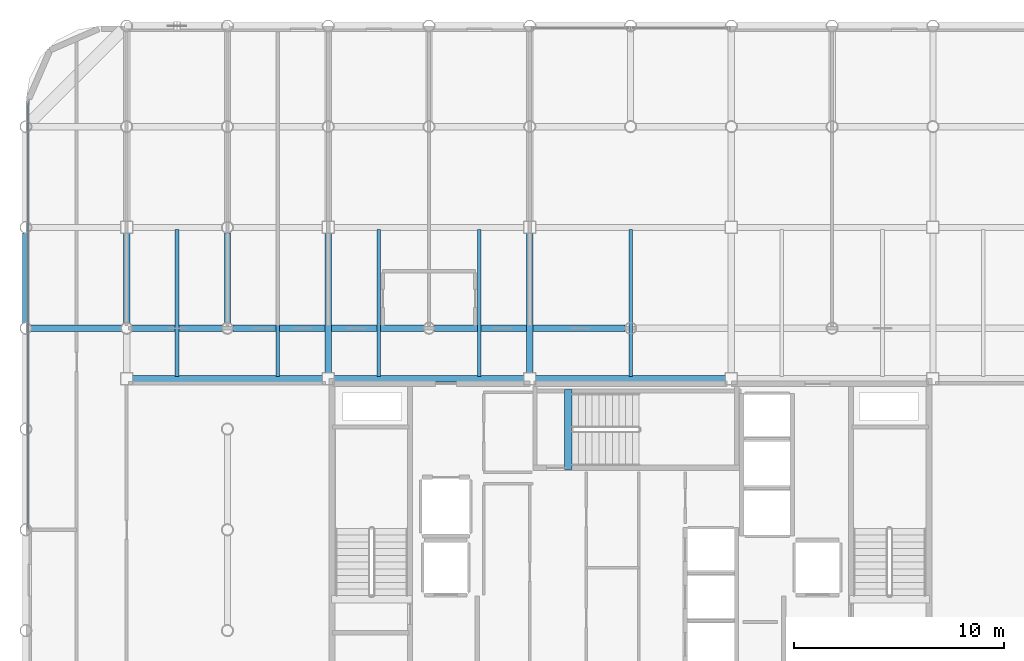
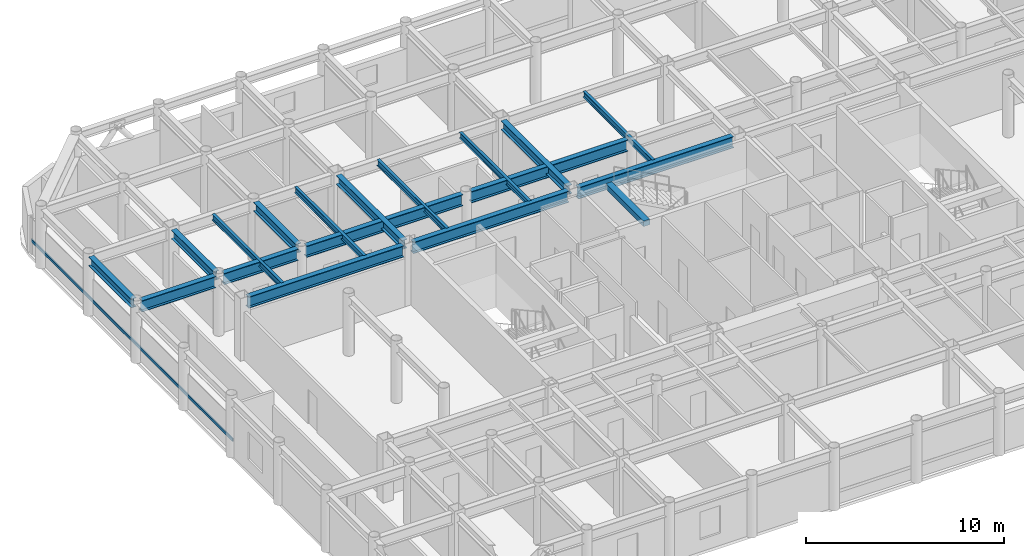
# One storey, part 7 of 22: 18 beams, 1 member, 1 element without a shape of its own.
"""IFC4 building model written with IfcOpenShell, lengths in metres."""

from ifc_helpers import new_model, si_unit, direction, frame, origin, origin_2d, place, context, subcontext, project, spatial, rectangle, hollow_rectangle, i_section, extrude, material, layer, layer_set, material_profile, profile_set, type_object, element, aggregate, save


model = new_model("IFC4")

# Units and contexts
model_context = context("Model", 3, precision=1e-05, world=origin(), true_north=direction((0.0, 1.0)))
body_context = subcontext(model_context, "Body", "Model", "MODEL_VIEW")
ifc_project = project(units=[si_unit("LENGTHUNIT", "METRE"), si_unit("AREAUNIT", "SQUARE_METRE"), si_unit("VOLUMEUNIT", "CUBIC_METRE"), si_unit("PLANEANGLEUNIT", "RADIAN"), si_unit("MASSUNIT", "GRAM", prefix="KILO")], contexts=[model_context])

# Site, building, storey
site_placement = place(None, origin())
site = spatial("IfcSite", under=ifc_project, at=site_placement, CompositionType="ELEMENT")
building_placement = place(site_placement, origin())
building = spatial("IfcBuilding", under=site, at=building_placement, Name="Kallvorn Hotel Tower", CompositionType="ELEMENT")
storey_placement = place(building_placement, frame((0.0, 0.0, 226.14990234375)))
storey = spatial("IfcBuildingStorey", under=building, at=storey_placement, Name="L56", CompositionType="ELEMENT", Elevation=226.14990234375)

# Beams
ifc_material_1 = material(Name="Structural steel S355JR", Category="steel")
ifc_material_profile_1 = material_profile(ifc_material_1, i_section(OverallWidth=0.300048828125, OverallDepth=0.550048828125, WebThickness=0.014892578125, FlangeThickness=0.029052734375, at=origin_2d()), Name="HE 550 B")
ifc_profile_set_1 = profile_set([ifc_material_profile_1], Name="Structural steel S355JR")
beam_type_1 = type_object("IfcBeamType", Name="BM_HE550B", PredefinedType="SPANDREL", material=ifc_profile_set_1)
beam_1_placement = place(storey_placement, frame((-28.800048828125, 9.8544921875, 3.39501953125), z_axis=(0.0, 1.0, 0.0), x_axis=(-1.0, 0.0, 0.0)))
element("IfcBeam", 1, at=beam_1_placement, inside=storey, type_object=beam_type_1, Name="L57 Primary Y-Girder 79", PredefinedType="SPANDREL", context=body_context, shape_type="SweptSolid", body=[
    extrude(i_section(OverallWidth=0.300048828125, OverallDepth=0.550048828125, WebThickness=0.014892578125, FlangeThickness=0.029052734375, at=origin_2d()), origin(), (0.0, 0.0, 1.0), 4.291015625),
])
beam_2_placement = place(storey_placement, frame((-24.0, 9.8544921875, 3.39501953125), z_axis=(0.0, 1.0, 0.0), x_axis=(-1.0, 0.0, 0.0)))
element("IfcBeam", 2, at=beam_2_placement, inside=storey, type_object=beam_type_1, Name="L57 Primary Y-Girder 85", PredefinedType="SPANDREL", context=body_context, shape_type="SweptSolid", body=[
    extrude(i_section(OverallWidth=0.300048828125, OverallDepth=0.550048828125, WebThickness=0.014892578125, FlangeThickness=0.029052734375, at=origin_2d()), origin(), (0.0, 0.0, 1.0), 4.2705078125),
])
beam_3_placement = place(storey_placement, frame((-19.199951171875, 9.8544921875, 3.39501953125), z_axis=(0.0, 1.0, 0.0), x_axis=(-1.0, 0.0, 0.0)))
element("IfcBeam", 3, at=beam_3_placement, inside=storey, type_object=beam_type_1, Name="L57 Primary Y-Girder 94", PredefinedType="SPANDREL", context=body_context, shape_type="SweptSolid", body=[
    extrude(i_section(OverallWidth=0.300048828125, OverallDepth=0.550048828125, WebThickness=0.014892578125, FlangeThickness=0.029052734375, at=origin_2d()), origin(), (0.0, 0.0, 1.0), 4.291015625),
])
for number, where, z_axis, x_axis, name in (
    (4, (-14.39990234375, 7.47509765625, 3.39501953125), (0.0, 1.0, 0.0), (-1.0, 0.0, 0.0), "L57 Primary Y-Girder 99"),
    (5, (-4.800048828125, 7.47509765625, 3.39501953125), (0.0, 1.0, 0.0), (-1.0, 0.0, 0.0), "L57 Primary Y-Girder 107"),
):
    element("IfcBeam", number, at=place(storey_placement, frame(where, z_axis=z_axis, x_axis=x_axis)), inside=storey, type_object=beam_type_1, Name=name, PredefinedType="SPANDREL", context=body_context, shape_type="SweptSolid", body=[
        extrude(i_section(OverallWidth=0.300048828125, OverallDepth=0.550048828125, WebThickness=0.014892578125, FlangeThickness=0.029052734375, at=origin_2d()), origin(), (0.0, 0.0, 1.0), 6.64990234375),
    ])
ifc_material_2 = material(Name="Structural steel S355JR", Category="steel")
ifc_material_profile_2 = material_profile(ifc_material_2, i_section(OverallWidth=0.300048828125, OverallDepth=0.699951171875, WebThickness=0.01708984375, FlangeThickness=0.031982421875, at=origin_2d()), Name="HE 700 B")
ifc_profile_set_2 = profile_set([ifc_material_profile_2], Name="Structural steel S355JR")
beam_type_2 = type_object("IfcBeamType", Name="BM_HE700B", PredefinedType="BEAM", material=ifc_profile_set_2)
for number, where, z_axis, x_axis, name in (
    (6, (-23.72509765625, 7.199951171875, 3.320068359375), (1.0, 0.0, 0.0), (0.0, 1.0, 0.0), "L57 Primary X-Girder 36"),
    (7, (-14.125, 7.199951171875, 3.320068359375), (1.0, 0.0, 0.0), (0.0, 1.0, 0.0), "L57 Primary X-Girder 37"),
):
    element("IfcBeam", number, at=place(storey_placement, frame(where, z_axis=z_axis, x_axis=x_axis)), inside=storey, type_object=beam_type_2, Name=name, PredefinedType="BEAM", context=body_context, shape_type="SweptSolid", body=[
        extrude(i_section(OverallWidth=0.300048828125, OverallDepth=0.699951171875, WebThickness=0.01708984375, FlangeThickness=0.031982421875, at=origin_2d()), origin(), (0.0, 0.0, 1.0), 9.050048828125),
    ])
beam_4_placement = place(storey_placement, frame((-4.52490234375, 7.199951171875, 3.320068359375), z_axis=(1.0, 0.0, 0.0), x_axis=(0.0, 1.0, 0.0)))
element("IfcBeam", 8, at=beam_4_placement, inside=storey, type_object=beam_type_2, Name="L57 Primary X-Girder 38", PredefinedType="BEAM", context=body_context, shape_type="SweptSolid", body=[
    extrude(i_section(OverallWidth=0.300048828125, OverallDepth=0.699951171875, WebThickness=0.01708984375, FlangeThickness=0.031982421875, at=origin_2d()), origin(), (0.0, 0.0, 1.0), 9.0498046875),
])
for number, where, z_axis, x_axis, name in (
    (9, (-28.54541015625, 9.60009765625, 3.320068359375), (1.0, 0.0, 0.0), (0.0, 1.0, 0.0), "L57 Primary X-Girder 41"),
    (10, (-23.74560546875, 9.60009765625, 3.320068359375), (1.0, 0.0, 0.0), (0.0, 1.0, 0.0), "L57 Primary X-Girder 42"),
):
    element("IfcBeam", number, at=place(storey_placement, frame(where, z_axis=z_axis, x_axis=x_axis)), inside=storey, type_object=beam_type_2, Name=name, PredefinedType="BEAM", context=body_context, shape_type="SweptSolid", body=[
        extrude(i_section(OverallWidth=0.300048828125, OverallDepth=0.699951171875, WebThickness=0.01708984375, FlangeThickness=0.031982421875, at=origin_2d()), origin(), (0.0, 0.0, 1.0), 4.291015625),
    ])
for number, where, z_axis, x_axis, name in (
    (11, (-18.945556640625, 9.60009765625, 3.320068359375), (1.0, 0.0, 0.0), (0.0, 1.0, 0.0), "L57 Primary X-Girder 43"),
    (12, (-9.345458984375, 9.60009765625, 3.320068359375), (1.0, 0.0, 0.0), (0.0, 1.0, 0.0), "L57 Primary X-Girder 44"),
):
    element("IfcBeam", number, at=place(storey_placement, frame(where, z_axis=z_axis, x_axis=x_axis)), inside=storey, type_object=beam_type_2, Name=name, PredefinedType="BEAM", context=body_context, shape_type="SweptSolid", body=[
        extrude(i_section(OverallWidth=0.300048828125, OverallDepth=0.699951171875, WebThickness=0.01708984375, FlangeThickness=0.031982421875, at=origin_2d()), origin(), (0.0, 0.0, 1.0), 9.091064453125),
    ])
ifc_material_3 = material(Name="Structural steel S355JR", Category="steel")
ifc_material_profile_3 = material_profile(ifc_material_3, i_section(OverallWidth=0.169921875, OverallDepth=0.360107421875, WebThickness=0.008056640625, FlangeThickness=0.0126953125, at=origin_2d()), Name="IPE 360")
ifc_profile_set_3 = profile_set([ifc_material_profile_3], Name="Structural steel S355JR")
beam_type_3 = type_object("IfcBeamType", Name="BM_IPE360", PredefinedType="JOIST", material=ifc_profile_set_3)
for number, where, z_axis, x_axis, name in (
    (13, (-21.60009765625, 7.300048828125, 3.489990234375), (0.0, 1.0, 0.0), (-1.0, 0.0, 0.0), "L57 Secondary Composite Joist 193"),
    (14, (-16.800048828125, 7.300048828125, 3.489990234375), (0.0, 1.0, 0.0), (-1.0, 0.0, 0.0), "L57 Secondary Composite Joist 195"),
    (15, (-12.0, 7.300048828125, 3.489990234375), (0.0, 1.0, 0.0), (-1.0, 0.0, 0.0), "L57 Secondary Composite Joist 197"),
    (16, (-7.199951171875, 7.300048828125, 3.489990234375), (0.0, 1.0, 0.0), (-1.0, 0.0, 0.0), "L57 Secondary Composite Joist 199"),
    (17, (0.0, 7.300048828125, 3.489990234375), (0.0, 1.0, 0.0), (-1.0, 0.0, 0.0), "L57 Secondary Composite Joist 201"),
):
    element("IfcBeam", number, at=place(storey_placement, frame(where, z_axis=z_axis, x_axis=x_axis)), inside=storey, type_object=beam_type_3, Name=name, PredefinedType="JOIST", context=body_context, shape_type="SweptSolid", body=[
        extrude(i_section(OverallWidth=0.169921875, OverallDepth=0.360107421875, WebThickness=0.008056640625, FlangeThickness=0.0126953125, at=origin_2d()), origin(), (0.0, 0.0, 1.0), 7.0),
    ])
ifc_material_4 = material(Name="Concrete C50/60", Category="concrete")
ifc_material_profile_4 = material_profile(ifc_material_4, rectangle(XDim=0.360107421875, YDim=0.340087890625, at=origin_2d()), Name="RC 360x340")
ifc_profile_set_4 = profile_set([ifc_material_profile_4], Name="Concrete C50/60")
beam_type_4 = type_object("IfcBeamType", Name="BM_RC_400x360", PredefinedType="BEAM", material=ifc_profile_set_4)
beam_5_placement = place(storey_placement, frame((-2.9599609375, 2.8701171875, 3.5), z_axis=(0.0, 1.0, 0.0), x_axis=(-1.0, 0.0, 0.0)))
element("IfcBeam", 18, at=beam_5_placement, inside=storey, type_object=beam_type_4, Name="L57 Stair ST3 Arrival Trimmer Beam", PredefinedType="BEAM", context=body_context, shape_type="SweptSolid", body=[
    extrude(rectangle(XDim=0.360107421875, YDim=0.340087890625, at=origin_2d()), origin(), (0.0, 0.0, 1.0), 3.81982421875),
])

# Curtain wall, member
ifc_material_5 = material(Name="Thermally broken black-anodised aluminium AA 6063-T6", Category="aluminium")
ifc_layer = layer(ifc_material_5, 0.22998046875)
ifc_layer_set = layer_set([ifc_layer], Name="CW_SYS_5_HOTEL_HIGH")
curtain_wall_type = type_object("IfcCurtainWallType", Name="CW_SYS_5_HOTEL_HIGH", PredefinedType="USERDEFINED", material=ifc_layer_set)
curtain_wall_placement = place(storey_placement, origin())
curtain_wall = element("IfcCurtainWall", 19, at=curtain_wall_placement, inside=storey, type_object=curtain_wall_type, Name="L56 Dark-Glass Curtain Wall CW-L56-WN", ObjectType="UNITISED CURTAIN WALL", PredefinedType="USERDEFINED")
ifc_material_6 = material(Name="Thermally broken black-anodised aluminium AA 6063-T6", Category="aluminium")
ifc_material_profile_5 = material_profile(ifc_material_6, hollow_rectangle(XDim=0.070068359375, YDim=0.179931640625, WallThickness=0.00390625, at=origin_2d()), Name="TRN 180x70")
ifc_profile_set_5 = profile_set([ifc_material_profile_5], Name="Thermally broken black-anodised aluminium AA 6063-T6")
member_type = type_object("IfcMemberType", Name="CW_TRANSOM_180x70", PredefinedType="USERDEFINED", material=ifc_profile_set_5)
member_placement = place(storey_placement, frame((-28.679931640625, 0.06005859375, 0.85009765625), z_axis=(0.0, 1.0, 0.0), x_axis=(-1.0, 0.0, 0.0)))
member = element("IfcMember", 20, at=member_placement, type_object=member_type, Name="CW-L56-WN Transom 00M", ObjectType="TRANSOM", PredefinedType="USERDEFINED", context=body_context, shape_type="SweptSolid", body=[
    extrude(hollow_rectangle(XDim=0.070068359375, YDim=0.179931640625, WallThickness=0.00390625, at=origin_2d()), origin(), (0.0, 0.0, 1.0), 20.300048828125),
])
aggregate(curtain_wall, [member])

save(model, "model.ifc")
